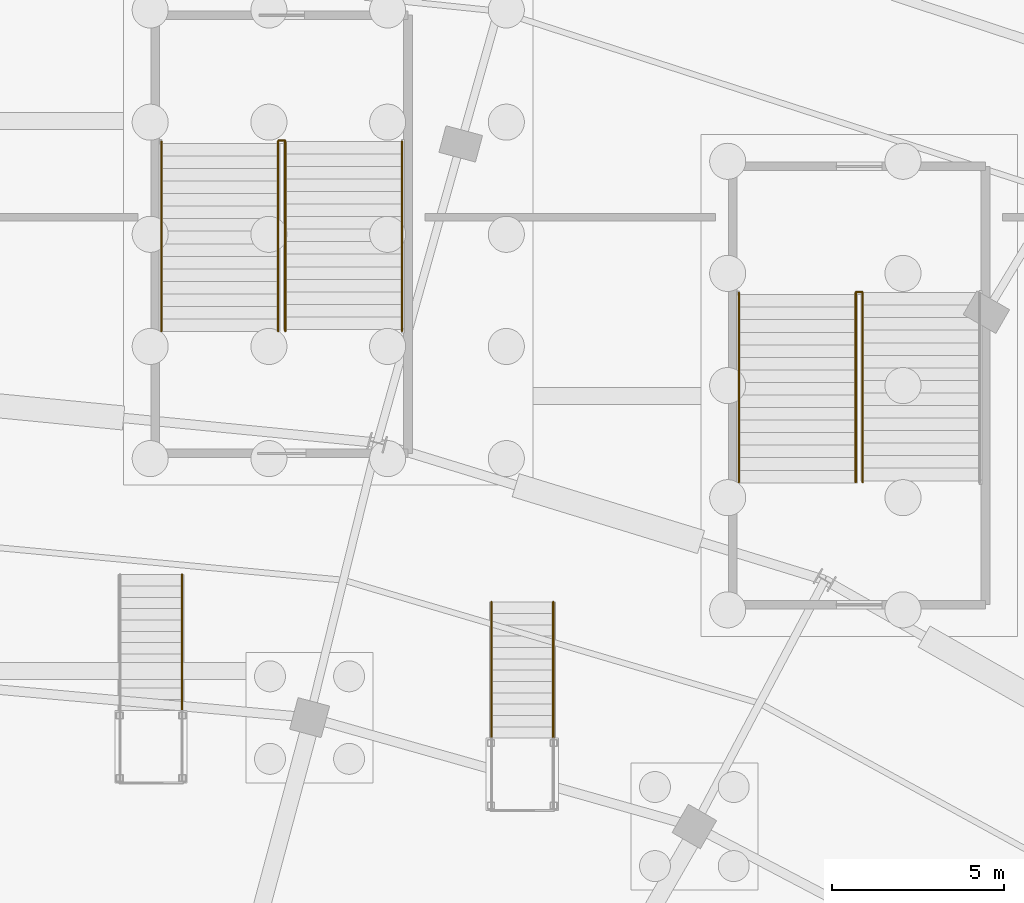
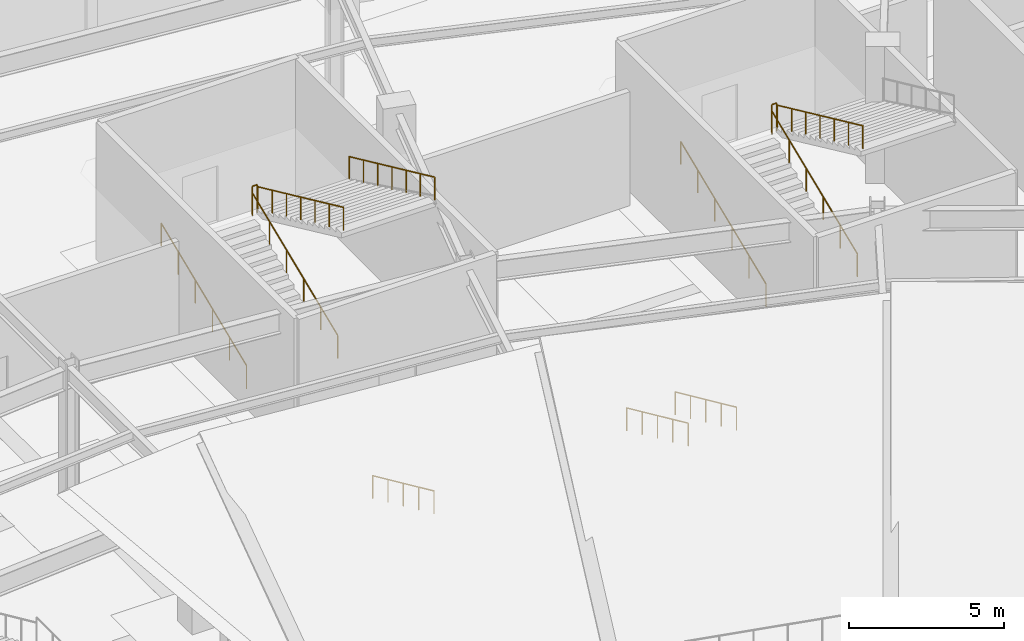
# One storey, part 83 of 93: 12 railings.
"""IFC4 building model written with IfcOpenShell, lengths in metres."""

from ifc_helpers import new_model, si_unit, direction, frame, origin, origin_2d, place, context, subcontext, project, spatial, circle, extrude, material, type_object, element, save


model = new_model("IFC4")

# Units and contexts
model_context = context("Model", 3, precision=1e-05, world=origin(), true_north=direction((0.0, 1.0)))
body_context = subcontext(model_context, "Body", "Model", "MODEL_VIEW")
ifc_project = project(units=[si_unit("LENGTHUNIT", "METRE"), si_unit("AREAUNIT", "SQUARE_METRE"), si_unit("VOLUMEUNIT", "CUBIC_METRE"), si_unit("PLANEANGLEUNIT", "RADIAN"), si_unit("MASSUNIT", "GRAM", prefix="KILO")], contexts=[model_context])

# Site, building, storey
site_placement = place(None, origin())
site = spatial("IfcSite", under=ifc_project, at=site_placement, CompositionType="ELEMENT")
building_placement = place(site_placement, origin())
building = spatial("IfcBuilding", under=site, at=building_placement, Name="Kalgoora Escarpment Arena", CompositionType="ELEMENT")
storey_placement = place(building_placement, origin())
storey = spatial("IfcBuildingStorey", under=building, at=storey_placement, Name="L00", CompositionType="ELEMENT", Elevation=0.0)

# Railings
ifc_material_1 = material(Name="Galvanised & powdercoated tubular steel", Category="steel")
railing_type_1 = type_object("IfcRailingType", Name="RAL-GUARD-1120", PredefinedType="GUARDRAIL", material=ifc_material_1)
railing_1_placement = place(storey_placement, frame((103.5048828125, 111.425048828125, 2.699951171875)))
element("IfcRailing", 1, at=railing_1_placement, inside=storey, type_object=railing_type_1, Name="ST11 L00 half-landing well guard", PredefinedType="GUARDRAIL", context=body_context, shape_type="SweptSolid", body=[
    extrude(circle(Radius=0.02392578125, at=origin_2d()), frame((0.0, 0.0, 1.09619140625), z_axis=(1.0, 0.0, 0.0), x_axis=(0.0, 1.0, 0.0)), (0.0, 0.0, 1.0), 0.190185546875),
    extrude(circle(Radius=0.02099609375, at=origin_2d()), origin(), (0.0, 0.0, 1.0), 1.072021484375),
    extrude(circle(Radius=0.02099609375, at=origin_2d()), frame((0.190185546875, 0.0, 0.0)), (0.0, 0.0, 1.0), 1.072021484375),
])
railing_2_placement = place(storey_placement, frame((120.31005859375, 107.02490234375, 2.699951171875)))
element("IfcRailing", 2, at=railing_2_placement, inside=storey, type_object=railing_type_1, Name="ST12 L00 half-landing well guard", PredefinedType="GUARDRAIL", context=body_context, shape_type="SweptSolid", body=[
    extrude(circle(Radius=0.02392578125, at=origin_2d()), frame((0.0, 0.0, 1.09619140625), z_axis=(1.0, 0.0, 0.0), x_axis=(0.0, 1.0, 0.0)), (0.0, 0.0, 1.0), 0.179931640625),
    extrude(circle(Radius=0.02099609375, at=origin_2d()), origin(), (0.0, 0.0, 1.0), 1.072021484375),
    extrude(circle(Radius=0.02099609375, at=origin_2d()), frame((0.179931640625, 0.0, 0.0)), (0.0, 0.0, 1.0), 1.072021484375),
])
ifc_material_2 = material(Name="Brushed stainless steel 316 handrail", Category="steel")
railing_type_2 = type_object("IfcRailingType", Name="RAL-HAND-920", PredefinedType="HANDRAIL", material=ifc_material_2)
for number, where, name in (
    (3, (100.10009765625, 105.889892578125, 0.388916015625), "ST11 L00 pitched stair handrail F1L"),
    (4, (103.4951171875, 105.889892578125, 0.388916015625), "ST11 L00 pitched stair handrail F1R"),
):
    element("IfcRailing", number, at=place(storey_placement, frame(where)), inside=storey, type_object=railing_type_2, Name=name, PredefinedType="HANDRAIL", context=body_context, shape_type="SweptSolid", body=[
        extrude(circle(Radius=0.02392578125, at=origin_2d()), frame((0.0, 0.0, 0.89599609375), z_axis=(0.0, 0.924430832969, 0.381349754236), x_axis=(-1.0, 0.0, 0.0)), (0.0, 0.0, 1.0), 5.955078125),
        extrude(circle(Radius=0.02099609375, at=origin_2d()), origin(), (0.0, 0.0, 1.0), 0.871826171875),
        extrude(circle(Radius=0.02099609375, at=origin_2d()), frame((0.0, 1.10107421875, 0.4541015625)), (0.0, 0.0, 1.0), 0.871826171875),
        extrude(circle(Radius=0.02099609375, at=origin_2d()), frame((0.0, 2.2021484375, 0.908447265625)), (0.0, 0.0, 1.0), 0.871826171875),
        extrude(circle(Radius=0.02099609375, at=origin_2d()), frame((0.0, 3.302978515625, 1.362548828125)), (0.0, 0.0, 1.0), 0.871826171875),
        extrude(circle(Radius=0.02099609375, at=origin_2d()), frame((0.0, 4.404052734375, 1.81689453125)), (0.0, 0.0, 1.0), 0.871826171875),
        extrude(circle(Radius=0.02099609375, at=origin_2d()), frame((0.0, 5.505126953125, 2.27099609375)), (0.0, 0.0, 1.0), 0.871826171875),
    ])
for number, where, name in (
    (5, (103.705078125, 111.39501953125, 2.828857421875), "ST11 L00 pitched stair handrail F2L"),
    (6, (107.10009765625, 111.39501953125, 2.828857421875), "ST11 L00 pitched stair handrail F2R"),
):
    element("IfcRailing", number, at=place(storey_placement, frame(where)), inside=storey, type_object=railing_type_2, Name=name, PredefinedType="HANDRAIL", context=body_context, shape_type="SweptSolid", body=[
        extrude(circle(Radius=0.02392578125, at=origin_2d()), frame((0.0, 0.0, 0.89599609375), z_axis=(0.0, -0.908559891483, 0.417754621265), x_axis=(1.0, 0.0, 0.0)), (0.0, 0.0, 1.0), 6.05908203125),
        extrude(circle(Radius=0.02099609375, at=origin_2d()), origin(), (0.0, 0.0, 1.0), 0.871826171875),
        extrude(circle(Radius=0.02099609375, at=origin_2d()), frame((0.0, -0.91748046875, 0.421875)), (0.0, 0.0, 1.0), 0.871826171875),
        extrude(circle(Radius=0.02099609375, at=origin_2d()), frame((0.0, -1.8349609375, 0.84375)), (0.0, 0.0, 1.0), 0.871826171875),
        extrude(circle(Radius=0.02099609375, at=origin_2d()), frame((0.0, -2.75244140625, 1.265625)), (0.0, 0.0, 1.0), 0.871826171875),
        extrude(circle(Radius=0.02099609375, at=origin_2d()), frame((0.0, -3.670166015625, 1.6875)), (0.0, 0.0, 1.0), 0.871826171875),
        extrude(circle(Radius=0.02099609375, at=origin_2d()), frame((0.0, -4.587646484375, 2.109375)), (0.0, 0.0, 1.0), 0.871826171875),
        extrude(circle(Radius=0.02099609375, at=origin_2d()), frame((0.0, -5.505126953125, 2.53125)), (0.0, 0.0, 1.0), 0.871826171875),
    ])
for number, where, name in (
    (7, (116.89990234375, 101.489990234375, 0.388916015625), "ST12 L00 pitched stair handrail F1L"),
    (8, (120.300048828125, 101.489990234375, 0.388916015625), "ST12 L00 pitched stair handrail F1R"),
):
    element("IfcRailing", number, at=place(storey_placement, frame(where)), inside=storey, type_object=railing_type_2, Name=name, PredefinedType="HANDRAIL", context=body_context, shape_type="SweptSolid", body=[
        extrude(circle(Radius=0.02392578125, at=origin_2d()), frame((0.0, 0.0, 0.89599609375), z_axis=(0.0, 0.924430832969, 0.381349754236), x_axis=(-1.0, 0.0, 0.0)), (0.0, 0.0, 1.0), 5.955078125),
        extrude(circle(Radius=0.02099609375, at=origin_2d()), origin(), (0.0, 0.0, 1.0), 0.871826171875),
        extrude(circle(Radius=0.02099609375, at=origin_2d()), frame((0.0, 1.10107421875, 0.4541015625)), (0.0, 0.0, 1.0), 0.871826171875),
        extrude(circle(Radius=0.02099609375, at=origin_2d()), frame((0.0, 2.2021484375, 0.908447265625)), (0.0, 0.0, 1.0), 0.871826171875),
        extrude(circle(Radius=0.02099609375, at=origin_2d()), frame((0.0, 3.302978515625, 1.362548828125)), (0.0, 0.0, 1.0), 0.871826171875),
        extrude(circle(Radius=0.02099609375, at=origin_2d()), frame((0.0, 4.404052734375, 1.81689453125)), (0.0, 0.0, 1.0), 0.871826171875),
        extrude(circle(Radius=0.02099609375, at=origin_2d()), frame((0.0, 5.505126953125, 2.27099609375)), (0.0, 0.0, 1.0), 0.871826171875),
    ])
railing_3_placement = place(storey_placement, frame((120.5, 106.9951171875, 2.828857421875)))
element("IfcRailing", 9, at=railing_3_placement, inside=storey, type_object=railing_type_2, Name="ST12 L00 pitched stair handrail F2L", PredefinedType="HANDRAIL", context=body_context, shape_type="SweptSolid", body=[
    extrude(circle(Radius=0.02392578125, at=origin_2d()), frame((0.0, 0.0, 0.89599609375), z_axis=(0.0, -0.908559891483, 0.417754621265), x_axis=(1.0, 0.0, 0.0)), (0.0, 0.0, 1.0), 6.05908203125),
    extrude(circle(Radius=0.02099609375, at=origin_2d()), origin(), (0.0, 0.0, 1.0), 0.871826171875),
    extrude(circle(Radius=0.02099609375, at=origin_2d()), frame((0.0, -0.91748046875, 0.421875)), (0.0, 0.0, 1.0), 0.871826171875),
    extrude(circle(Radius=0.02099609375, at=origin_2d()), frame((0.0, -1.8349609375, 0.84375)), (0.0, 0.0, 1.0), 0.871826171875),
    extrude(circle(Radius=0.02099609375, at=origin_2d()), frame((0.0, -2.75244140625, 1.265625)), (0.0, 0.0, 1.0), 0.871826171875),
    extrude(circle(Radius=0.02099609375, at=origin_2d()), frame((0.0, -3.670166015625, 1.6875)), (0.0, 0.0, 1.0), 0.871826171875),
    extrude(circle(Radius=0.02099609375, at=origin_2d()), frame((0.0, -4.587646484375, 2.109375)), (0.0, 0.0, 1.0), 0.871826171875),
    extrude(circle(Radius=0.02099609375, at=origin_2d()), frame((0.0, -5.505126953125, 2.53125)), (0.0, 0.0, 1.0), 0.871826171875),
])
for number, where, name in (
    (10, (100.699951171875, 98.800048828125, 0.14990234375), "Vomitory VST03 handrail R"),
    (11, (109.699951171875, 98.0, 0.14990234375), "Vomitory VST04 handrail L"),
    (12, (111.5, 98.0, 0.14990234375), "Vomitory VST04 handrail R"),
):
    element("IfcRailing", number, at=place(storey_placement, frame(where)), inside=storey, type_object=railing_type_2, Name=name, PredefinedType="HANDRAIL", context=body_context, shape_type="SweptSolid", body=[
        extrude(circle(Radius=0.02392578125, at=origin_2d()), frame((0.0, 0.0, 0.89599609375), z_axis=(0.0, -0.910360711023, 0.413815630233), x_axis=(1.0, 0.0, 0.0)), (0.0, 0.0, 1.0), 4.349853515625),
        extrude(circle(Radius=0.02099609375, at=origin_2d()), origin(), (0.0, 0.0, 1.0), 0.871826171875),
        extrude(circle(Radius=0.02099609375, at=origin_2d()), frame((0.0, -0.989990234375, 0.449951171875)), (0.0, 0.0, 1.0), 0.871826171875),
        extrude(circle(Radius=0.02099609375, at=origin_2d()), frame((0.0, -1.97998046875, 0.89990234375)), (0.0, 0.0, 1.0), 0.871826171875),
        extrude(circle(Radius=0.02099609375, at=origin_2d()), frame((0.0, -2.969970703125, 1.35009765625)), (0.0, 0.0, 1.0), 0.871826171875),
        extrude(circle(Radius=0.02099609375, at=origin_2d()), frame((0.0, -3.9599609375, 1.800048828125)), (0.0, 0.0, 1.0), 0.871826171875),
    ])

save(model, "model.ifc")
